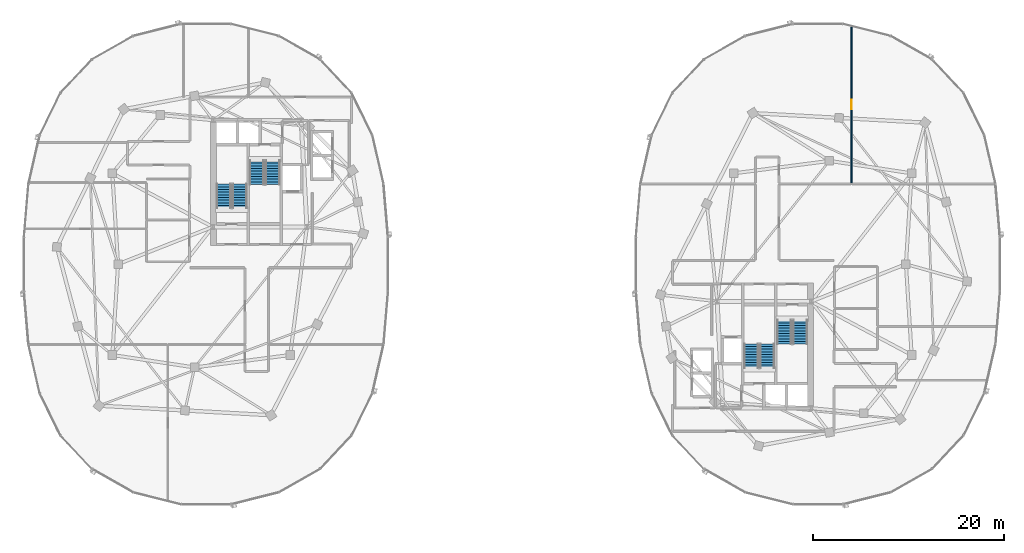
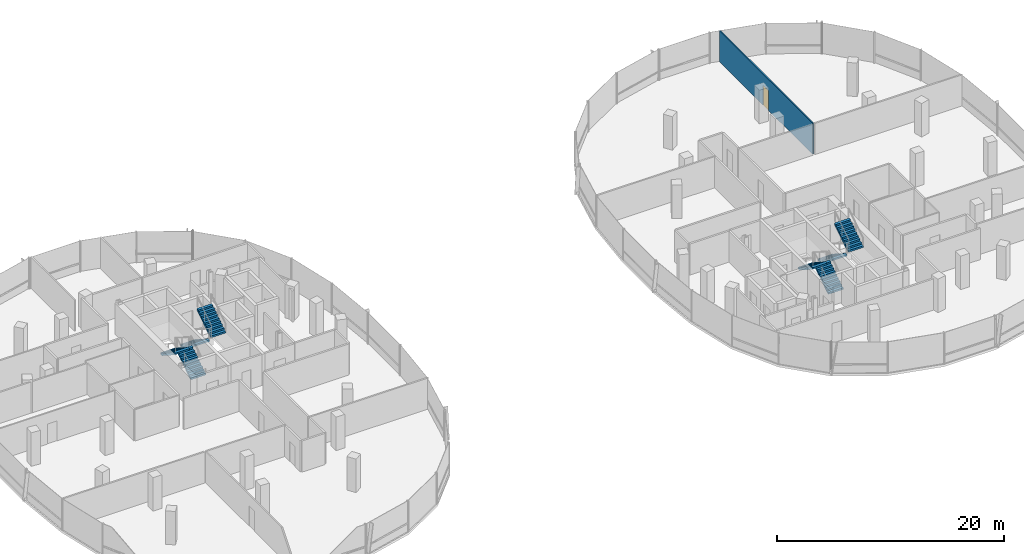
# One storey, part 18 of 25: 8 stair flights, 1 door, 1 wall, 1 opening, 4 elements without a shape of their own.
"""IFC4 building model written with IfcOpenShell, lengths in metres."""

from ifc_helpers import new_model, si_unit, direction, frame, frame_2d, origin, place, context, subcontext, project, spatial, polyline, rectangle, outline, extrude, material, layer, layer_set, type_object, element, fill, aggregate, save


model = new_model("IFC4")

# Units and contexts
model_context = context("Model", 3, precision=1e-05, world=origin(), true_north=direction((0.0, 1.0)))
body_context = subcontext(model_context, "Body", "Model", "MODEL_VIEW")
ifc_project = project(units=[si_unit("LENGTHUNIT", "METRE"), si_unit("AREAUNIT", "SQUARE_METRE"), si_unit("VOLUMEUNIT", "CUBIC_METRE"), si_unit("PLANEANGLEUNIT", "RADIAN"), si_unit("MASSUNIT", "GRAM", prefix="KILO"), si_unit("THERMODYNAMICTEMPERATUREUNIT", "KELVIN"), si_unit("POWERUNIT", "WATT")], contexts=[model_context])

# Site, building, storey
site_placement = place(None, origin())
site = spatial("IfcSite", under=ifc_project, at=site_placement, CompositionType="ELEMENT")
building_placement = place(site_placement, origin())
building = spatial("IfcBuilding", under=site, at=building_placement, Name="Cundina Bronze Exchange", CompositionType="ELEMENT")
storey_placement = place(building_placement, frame((0.0, 0.0, 209.800048828125)))
storey = spatial("IfcBuildingStorey", under=building, at=storey_placement, Name="L55", CompositionType="ELEMENT", Elevation=209.800048828125)

# Wall, opening, door
ifc_material_1 = material(Name="Gypsum Acoustic Partition EI60")
ifc_layer = layer(ifc_material_1, 0.125, Name="Gypsum Acoustic Partition EI60")
ifc_layer_set = layer_set([ifc_layer], Name="Gypsum Acoustic Partition EI60")
wall_type = type_object("IfcWallType", Name="WL-OFF-125", PredefinedType="PARTITIONING", material=ifc_layer_set)
wall_placement = place(storey_placement, frame((35.510009765625, 8.489990234375, 0.0), z_axis=(0.0, 0.0, 1.0), x_axis=(0.0, 1.0, 0.0)))
wall = element("IfcWall", 1, at=wall_placement, inside=storey, type_object=wall_type, Name="L55 Interior Partition 080", PredefinedType="PARTITIONING", context=body_context, shape_type="SweptSolid", body=[
    extrude(rectangle(XDim=16.3955078125, YDim=0.125, at=frame_2d((8.19775390625, 0.0))), origin(), (0.0, 0.0, 1.0), 3.33984375),
])
opening_placement = place(wall_placement, frame((7.69775390625, 0.0, 0.0)))
opening = element("IfcOpeningElement", 2, at=opening_placement, cuts=wall, Name="Opening DO-01", PredefinedType="OPENING", context=body_context, shape_type="SweptSolid", body=[
    extrude(rectangle(XDim=1.0, YDim=2.14990234375, at=frame_2d((0.5, 1.074951171875))), frame((0.0, 0.072509765625, 0.0), z_axis=(0.0, -1.0, 0.0), x_axis=(1.0, 0.0, 0.0)), (0.0, 0.0, 1.0), 0.14501953125),
])
ifc_material_2 = material(Name="Solid Andean Oak Timber Grade A", Category="wood")
door_type = type_object("IfcDoorType", Name="DR-OFF-1000", OperationType="NOTDEFINED", PredefinedType="DOOR", material=ifc_material_2)
door_placement = place(opening_placement, origin())
door = element("IfcDoor", 3, at=door_placement, inside=storey, type_object=door_type, Name="L55 Interior Door 080", OperationType="SINGLE_SWING_RIGHT", OverallHeight=2.14990234375, OverallWidth=1.0, PredefinedType="DOOR", context=body_context, shape_type="SweptSolid", body=[
    extrude(rectangle(XDim=1.0, YDim=2.14990234375, at=frame_2d((0.5, 1.074951171875))), frame((0.0, 0.02490234375, 0.0), z_axis=(0.0, -1.0, 0.0), x_axis=(1.0, 0.0, 0.0)), (0.0, 0.0, 1.0), 0.050048828125),
])
fill(opening, door)

# Stair, stair flights
ifc_material_3 = material(Name="Concrete C40/50", Category="concrete")
stair_type = type_object("IfcStairType", Name="STR-OFF-360", PredefinedType="HALF_TURN_STAIR", material=ifc_material_3)
stair_1_placement = place(storey_placement, origin())
stair_1 = element("IfcStair", 4, at=stair_1_placement, inside=storey, type_object=stair_type, Name="L55 Smokeproof Exit Stair W1", PredefinedType="HALF_TURN_STAIR")
stair_flight_type = type_object("IfcStairFlightType", Name="FLG-OFF-180", PredefinedType="STRAIGHT", material=ifc_material_3)
stair_flight_1_placement = place(storey_placement, frame((-28.489990234375, 5.85009765625, 0.0), z_axis=(0.0, 0.0, 1.0), x_axis=(0.0, 1.0, 0.0)))
stair_flight_1 = element("IfcStairFlight", 5, at=stair_flight_1_placement, type_object=stair_flight_type, Name="ST-W1 flight 1", NumberOfRisers=10, NumberOfTreads=9, PredefinedType="STRAIGHT", RiserHeight=0.18, TreadLength=0.28, context=body_context, shape_type="SweptSolid", body=[
    extrude(outline(polyline([(0.0, 0.0), (0.0, 0.179931640625), (0.280029296875, 0.179931640625), (0.280029296875, 0.360107421875), (0.56005859375, 0.360107421875), (0.56005859375, 0.5400390625), (0.840087890625, 0.5400390625), (0.840087890625, 0.719970703125), (1.1201171875, 0.719970703125), (1.1201171875, 0.89990234375), (1.39990234375, 0.89990234375), (1.39990234375, 1.080078125), (1.679931640625, 1.080078125), (1.679931640625, 1.260009765625), (1.9599609375, 1.260009765625), (1.9599609375, 1.43994140625), (2.239990234375, 1.43994140625), (2.239990234375, 1.6201171875), (2.52001953125, 1.6201171875), (2.52001953125, 1.800048828125), (2.52001953125, 1.44189453125), (0.277099609375, 0.0), (0.0, 0.0)])), frame((0.0, 0.75, 0.0), z_axis=(0.0, -1.0, 0.0), x_axis=(1.0, 0.0, 0.0)), (0.0, 0.0, 1.0), 1.5),
])
stair_flight_2_placement = place(storey_placement, frame((-30.14990234375, 8.3701171875, 1.800048828125), z_axis=(0.0, 0.0, 1.0), x_axis=(0.0, -1.0, 0.0)))
stair_flight_2 = element("IfcStairFlight", 6, at=stair_flight_2_placement, type_object=stair_flight_type, Name="ST-W1 flight 2", NumberOfRisers=10, NumberOfTreads=9, PredefinedType="STRAIGHT", RiserHeight=0.18, TreadLength=0.28, context=body_context, shape_type="SweptSolid", body=[
    extrude(outline(polyline([(0.0, 0.0), (0.0, 0.179931640625), (0.280029296875, 0.179931640625), (0.280029296875, 0.360107421875), (0.56005859375, 0.360107421875), (0.56005859375, 0.5400390625), (0.840087890625, 0.5400390625), (0.840087890625, 0.719970703125), (1.1201171875, 0.719970703125), (1.1201171875, 0.89990234375), (1.39990234375, 0.89990234375), (1.39990234375, 1.080078125), (1.679931640625, 1.080078125), (1.679931640625, 1.260009765625), (1.9599609375, 1.260009765625), (1.9599609375, 1.43994140625), (2.239990234375, 1.43994140625), (2.239990234375, 1.6201171875), (2.52001953125, 1.6201171875), (2.52001953125, 1.800048828125), (2.52001953125, 1.44189453125), (0.277099609375, 0.0), (0.0, 0.0)])), frame((0.0, 0.75, 0.0), z_axis=(0.0, -1.0, 0.0), x_axis=(1.0, 0.0, 0.0)), (0.0, 0.0, 1.0), 1.5),
])
aggregate(stair_1, [stair_flight_1, stair_flight_2])

stair_2_placement = place(storey_placement, origin())
stair_2 = element("IfcStair", 7, at=stair_2_placement, inside=storey, type_object=stair_type, Name="L55 Smokeproof Exit Stair W2", PredefinedType="HALF_TURN_STAIR")
stair_flight_3_placement = place(storey_placement, frame((-26.68994140625, 10.85009765625, 0.0), z_axis=(0.0, 0.0, 1.0), x_axis=(0.0, -1.0, 0.0)))
stair_flight_3 = element("IfcStairFlight", 8, at=stair_flight_3_placement, type_object=stair_flight_type, Name="ST-W2 flight 1", NumberOfRisers=10, NumberOfTreads=9, PredefinedType="STRAIGHT", RiserHeight=0.18, TreadLength=0.28, context=body_context, shape_type="SweptSolid", body=[
    extrude(outline(polyline([(0.0, 0.0), (0.0, 0.179931640625), (0.280029296875, 0.179931640625), (0.280029296875, 0.360107421875), (0.56005859375, 0.360107421875), (0.56005859375, 0.5400390625), (0.840087890625, 0.5400390625), (0.840087890625, 0.719970703125), (1.1201171875, 0.719970703125), (1.1201171875, 0.89990234375), (1.39990234375, 0.89990234375), (1.39990234375, 1.080078125), (1.679931640625, 1.080078125), (1.679931640625, 1.260009765625), (1.9599609375, 1.260009765625), (1.9599609375, 1.43994140625), (2.239990234375, 1.43994140625), (2.239990234375, 1.6201171875), (2.52001953125, 1.6201171875), (2.52001953125, 1.800048828125), (2.52001953125, 1.44189453125), (0.277099609375, 0.0), (0.0, 0.0)])), frame((0.0, 0.75, 0.0), z_axis=(0.0, -1.0, 0.0), x_axis=(1.0, 0.0, 0.0)), (0.0, 0.0, 1.0), 1.5),
])
stair_flight_4_placement = place(storey_placement, frame((-25.030029296875, 8.330078125, 1.800048828125), z_axis=(0.0, 0.0, 1.0), x_axis=(0.0, 1.0, 0.0)))
stair_flight_4 = element("IfcStairFlight", 9, at=stair_flight_4_placement, type_object=stair_flight_type, Name="ST-W2 flight 2", NumberOfRisers=10, NumberOfTreads=9, PredefinedType="STRAIGHT", RiserHeight=0.18, TreadLength=0.28, context=body_context, shape_type="SweptSolid", body=[
    extrude(outline(polyline([(0.0, 0.0), (0.0, 0.179931640625), (0.280029296875, 0.179931640625), (0.280029296875, 0.360107421875), (0.56005859375, 0.360107421875), (0.56005859375, 0.5400390625), (0.840087890625, 0.5400390625), (0.840087890625, 0.719970703125), (1.1201171875, 0.719970703125), (1.1201171875, 0.89990234375), (1.39990234375, 0.89990234375), (1.39990234375, 1.080078125), (1.679931640625, 1.080078125), (1.679931640625, 1.260009765625), (1.9599609375, 1.260009765625), (1.9599609375, 1.43994140625), (2.239990234375, 1.43994140625), (2.239990234375, 1.6201171875), (2.52001953125, 1.6201171875), (2.52001953125, 1.800048828125), (2.52001953125, 1.44189453125), (0.277099609375, 0.0), (0.0, 0.0)])), frame((0.0, 0.75, 0.0), z_axis=(0.0, -1.0, 0.0), x_axis=(1.0, 0.0, 0.0)), (0.0, 0.0, 1.0), 1.5),
])
aggregate(stair_2, [stair_flight_3, stair_flight_4])

stair_3_placement = place(storey_placement, origin())
stair_3 = element("IfcStair", 10, at=stair_3_placement, inside=storey, type_object=stair_type, Name="L55 Smokeproof Exit Stair E1", PredefinedType="HALF_TURN_STAIR")
stair_flight_5_placement = place(storey_placement, frame((28.489990234375, -5.85009765625, 0.0), z_axis=(0.0, 0.0, 1.0), x_axis=(0.0, -1.0, 0.0)))
stair_flight_5 = element("IfcStairFlight", 11, at=stair_flight_5_placement, type_object=stair_flight_type, Name="ST-E1 flight 1", NumberOfRisers=10, NumberOfTreads=9, PredefinedType="STRAIGHT", RiserHeight=0.18, TreadLength=0.28, context=body_context, shape_type="SweptSolid", body=[
    extrude(outline(polyline([(0.0, 0.0), (0.0, 0.179931640625), (0.280029296875, 0.179931640625), (0.280029296875, 0.360107421875), (0.56005859375, 0.360107421875), (0.56005859375, 0.5400390625), (0.840087890625, 0.5400390625), (0.840087890625, 0.719970703125), (1.1201171875, 0.719970703125), (1.1201171875, 0.89990234375), (1.39990234375, 0.89990234375), (1.39990234375, 1.080078125), (1.679931640625, 1.080078125), (1.679931640625, 1.260009765625), (1.9599609375, 1.260009765625), (1.9599609375, 1.43994140625), (2.239990234375, 1.43994140625), (2.239990234375, 1.6201171875), (2.52001953125, 1.6201171875), (2.52001953125, 1.800048828125), (2.52001953125, 1.44189453125), (0.277099609375, 0.0), (0.0, 0.0)])), frame((0.0, 0.75, 0.0), z_axis=(0.0, -1.0, 0.0), x_axis=(1.0, 0.0, 0.0)), (0.0, 0.0, 1.0), 1.5),
])
stair_flight_6_placement = place(storey_placement, frame((30.14990234375, -8.3701171875, 1.800048828125), z_axis=(0.0, 0.0, 1.0), x_axis=(0.0, 1.0, 0.0)))
stair_flight_6 = element("IfcStairFlight", 12, at=stair_flight_6_placement, type_object=stair_flight_type, Name="ST-E1 flight 2", NumberOfRisers=10, NumberOfTreads=9, PredefinedType="STRAIGHT", RiserHeight=0.18, TreadLength=0.28, context=body_context, shape_type="SweptSolid", body=[
    extrude(outline(polyline([(0.0, 0.0), (0.0, 0.179931640625), (0.280029296875, 0.179931640625), (0.280029296875, 0.360107421875), (0.56005859375, 0.360107421875), (0.56005859375, 0.5400390625), (0.840087890625, 0.5400390625), (0.840087890625, 0.719970703125), (1.1201171875, 0.719970703125), (1.1201171875, 0.89990234375), (1.39990234375, 0.89990234375), (1.39990234375, 1.080078125), (1.679931640625, 1.080078125), (1.679931640625, 1.260009765625), (1.9599609375, 1.260009765625), (1.9599609375, 1.43994140625), (2.239990234375, 1.43994140625), (2.239990234375, 1.6201171875), (2.52001953125, 1.6201171875), (2.52001953125, 1.800048828125), (2.52001953125, 1.44189453125), (0.277099609375, 0.0), (0.0, 0.0)])), frame((0.0, 0.75, 0.0), z_axis=(0.0, -1.0, 0.0), x_axis=(1.0, 0.0, 0.0)), (0.0, 0.0, 1.0), 1.5),
])
aggregate(stair_3, [stair_flight_5, stair_flight_6])

stair_4_placement = place(storey_placement, origin())
stair_4 = element("IfcStair", 13, at=stair_4_placement, inside=storey, type_object=stair_type, Name="L55 Smokeproof Exit Stair E2", PredefinedType="HALF_TURN_STAIR")
stair_flight_7_placement = place(storey_placement, frame((26.68994140625, -10.85009765625, 0.0), z_axis=(0.0, 0.0, 1.0), x_axis=(0.0, 1.0, 0.0)))
stair_flight_7 = element("IfcStairFlight", 14, at=stair_flight_7_placement, type_object=stair_flight_type, Name="ST-E2 flight 1", NumberOfRisers=10, NumberOfTreads=9, PredefinedType="STRAIGHT", RiserHeight=0.18, TreadLength=0.28, context=body_context, shape_type="SweptSolid", body=[
    extrude(outline(polyline([(0.0, 0.0), (0.0, 0.179931640625), (0.280029296875, 0.179931640625), (0.280029296875, 0.360107421875), (0.56005859375, 0.360107421875), (0.56005859375, 0.5400390625), (0.840087890625, 0.5400390625), (0.840087890625, 0.719970703125), (1.1201171875, 0.719970703125), (1.1201171875, 0.89990234375), (1.39990234375, 0.89990234375), (1.39990234375, 1.080078125), (1.679931640625, 1.080078125), (1.679931640625, 1.260009765625), (1.9599609375, 1.260009765625), (1.9599609375, 1.43994140625), (2.239990234375, 1.43994140625), (2.239990234375, 1.6201171875), (2.52001953125, 1.6201171875), (2.52001953125, 1.800048828125), (2.52001953125, 1.44189453125), (0.277099609375, 0.0), (0.0, 0.0)])), frame((0.0, 0.75, 0.0), z_axis=(0.0, -1.0, 0.0), x_axis=(1.0, 0.0, 0.0)), (0.0, 0.0, 1.0), 1.5),
])
stair_flight_8_placement = place(storey_placement, frame((25.030029296875, -8.330078125, 1.800048828125), z_axis=(0.0, 0.0, 1.0), x_axis=(0.0, -1.0, 0.0)))
stair_flight_8 = element("IfcStairFlight", 15, at=stair_flight_8_placement, type_object=stair_flight_type, Name="ST-E2 flight 2", NumberOfRisers=10, NumberOfTreads=9, PredefinedType="STRAIGHT", RiserHeight=0.18, TreadLength=0.28, context=body_context, shape_type="SweptSolid", body=[
    extrude(outline(polyline([(0.0, 0.0), (0.0, 0.179931640625), (0.280029296875, 0.179931640625), (0.280029296875, 0.360107421875), (0.56005859375, 0.360107421875), (0.56005859375, 0.5400390625), (0.840087890625, 0.5400390625), (0.840087890625, 0.719970703125), (1.1201171875, 0.719970703125), (1.1201171875, 0.89990234375), (1.39990234375, 0.89990234375), (1.39990234375, 1.080078125), (1.679931640625, 1.080078125), (1.679931640625, 1.260009765625), (1.9599609375, 1.260009765625), (1.9599609375, 1.43994140625), (2.239990234375, 1.43994140625), (2.239990234375, 1.6201171875), (2.52001953125, 1.6201171875), (2.52001953125, 1.800048828125), (2.52001953125, 1.44189453125), (0.277099609375, 0.0), (0.0, 0.0)])), frame((0.0, 0.75, 0.0), z_axis=(0.0, -1.0, 0.0), x_axis=(1.0, 0.0, 0.0)), (0.0, 0.0, 1.0), 1.5),
])
aggregate(stair_4, [stair_flight_7, stair_flight_8])

save(model, "model.ifc")
